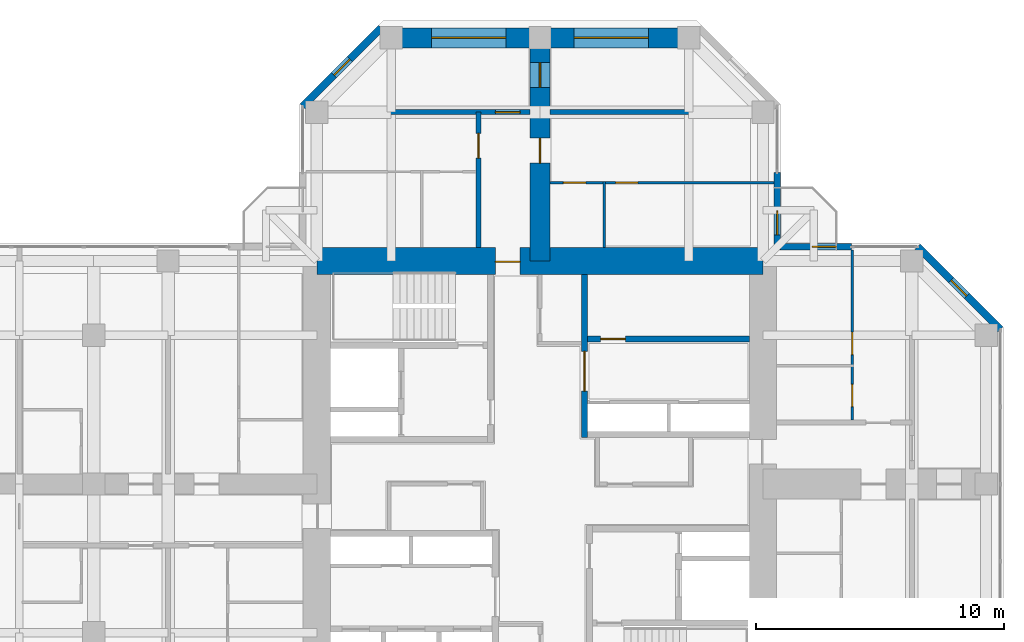
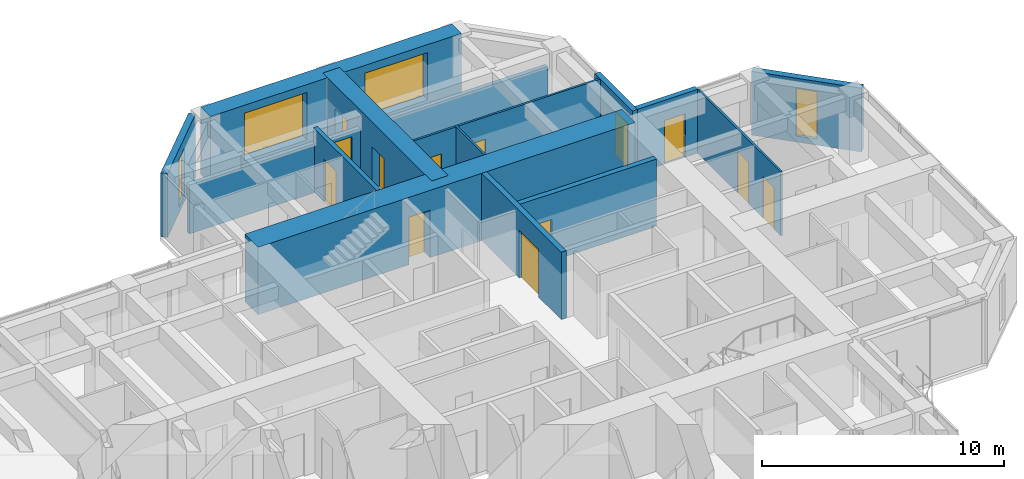
# One storey, part 12 of 14: 15 walls, 13 doors, 4 windows, 17 openings.
"""IFC4 building model written with IfcOpenShell, lengths in metres."""

from ifc_helpers import new_model, si_unit, direction, frame, frame_2d, origin, place, context, subcontext, project, spatial, rectangle, hollow_rectangle, extrude, material, layer, layer_set, constituent, constituent_set, type_object, element, fill, save


model = new_model("IFC4")

# Units and contexts
model_context = context("Model", 3, precision=1e-05, world=origin(), true_north=direction((0.0, 1.0)))
body_context = subcontext(model_context, "Body", "Model", "MODEL_VIEW")
ifc_project = project(units=[si_unit("LENGTHUNIT", "METRE"), si_unit("AREAUNIT", "SQUARE_METRE"), si_unit("VOLUMEUNIT", "CUBIC_METRE"), si_unit("PLANEANGLEUNIT", "RADIAN"), si_unit("MASSUNIT", "GRAM", prefix="KILO")], contexts=[model_context])

# Site, building, storey
site_placement = place(None, origin())
site = spatial("IfcSite", under=ifc_project, at=site_placement, CompositionType="ELEMENT")
building_placement = place(site_placement, origin())
building = spatial("IfcBuilding", under=site, at=building_placement, Name="Torre Cruceta", CompositionType="ELEMENT")
storey_placement = place(building_placement, frame((0.0, 0.0, 179.699951171875)))
storey = spatial("IfcBuildingStorey", under=building, at=storey_placement, Name="L44", CompositionType="ELEMENT", Elevation=179.699951171875)

# Wall
ifc_material_1 = material(Name="Water-resistant plasterboard on steel studs", Category="steel")
ifc_layer_1 = layer(ifc_material_1, 0.10009765625)
ifc_layer_set_1 = layer_set([ifc_layer_1], Name="Water-resistant plasterboard on steel studs")
wall_type_1 = type_object("IfcWallType", Name="BATHROOM WALL 100", PredefinedType="PARTITIONING", material=ifc_layer_set_1)
wall_1_placement = place(storey_placement, frame((2.60009765625, 9.550048828125, 0.0), z_axis=(0.0, 0.0, 1.0), x_axis=(0.0, 1.0, 0.0)))
element("IfcWall", 1, at=wall_1_placement, inside=storey, type_object=wall_type_1, Name="PT4 L44-N-U1RBB", PredefinedType="PARTITIONING", context=body_context, shape_type="SweptSolid", body=[
    extrude(rectangle(XDim=2.64990234375, YDim=0.10009765625, at=frame_2d((1.324951171875, 0.0))), origin(), (0.0, 0.0, 1.0), 3.219970703125),
])

# Wall, openings, doors
wall_2_placement = place(storey_placement, frame((9.445068359375, 12.14990234375, 0.0), z_axis=(0.0, 0.0, 1.0), x_axis=(-1.0, 0.0, 0.0)))
wall_2 = element("IfcWall", 2, at=wall_2_placement, inside=storey, type_object=wall_type_1, Name="PT4 L44-N-U1RBS", PredefinedType="PARTITIONING", context=body_context, shape_type="SweptSolid", body=[
    extrude(rectangle(XDim=9.045166015625, YDim=0.10009765625, at=frame_2d((4.5224609375, 0.0))), origin(), (0.0, 0.0, 1.0), 3.219970703125),
])
opening_1_placement = place(wall_2_placement, frame((5.4951171875, 0.0, 0.0)))
opening_1 = element("IfcOpeningElement", 3, at=opening_1_placement, cuts=wall_2, Name="Opening D7", PredefinedType="OPENING", context=body_context, shape_type="SweptSolid", body=[
    extrude(rectangle(XDim=0.89990234375, YDim=2.10009765625, at=frame_2d((0.449951171875, 1.050048828125))), frame((0.0, 0.06005859375, 0.0), z_axis=(0.0, -1.0, 0.0), x_axis=(1.0, 0.0, 0.0)), (0.0, 0.0, 1.0), 0.1201171875),
])
opening_2_placement = place(wall_2_placement, frame((7.594970703125, 0.0, 0.0)))
opening_2 = element("IfcOpeningElement", 4, at=opening_2_placement, cuts=wall_2, Name="Opening D7", PredefinedType="OPENING", context=body_context, shape_type="SweptSolid", body=[
    extrude(rectangle(XDim=0.89990234375, YDim=2.10009765625, at=frame_2d((0.449951171875, 1.050048828125))), frame((0.0, 0.06005859375, 0.0), z_axis=(0.0, -1.0, 0.0), x_axis=(1.0, 0.0, 0.0)), (0.0, 0.0, 1.0), 0.1201171875),
])
ifc_material_2 = material(Name="Timber door", Category="wood")
door_type_1 = type_object("IfcDoorType", Name="BATHROOM DOOR 900X2100", OperationType="SINGLE_SWING_LEFT", PredefinedType="DOOR", material=ifc_material_2)
door_1_placement = place(opening_1_placement, origin())
door_1 = element("IfcDoor", 5, at=door_1_placement, inside=storey, type_object=door_type_1, Name="D7 L44-N-U1RBS-D1", OperationType="SINGLE_SWING_RIGHT", OverallHeight=2.10009765625, OverallWidth=0.89990234375, PredefinedType="DOOR", context=body_context, shape_type="SweptSolid", body=[
    extrude(rectangle(XDim=0.89990234375, YDim=2.10009765625, at=frame_2d((0.449951171875, 1.050048828125))), frame((0.0, 0.02490234375, 0.0), z_axis=(0.0, -1.0, 0.0), x_axis=(1.0, 0.0, 0.0)), (0.0, 0.0, 1.0), 0.050048828125),
])
fill(opening_1, door_1)
door_2_placement = place(opening_2_placement, origin())
door_2 = element("IfcDoor", 6, at=door_2_placement, inside=storey, type_object=door_type_1, Name="D7 L44-N-U1RBS-D2", OperationType="SINGLE_SWING_RIGHT", OverallHeight=2.10009765625, OverallWidth=0.89990234375, PredefinedType="DOOR", context=body_context, shape_type="SweptSolid", body=[
    extrude(rectangle(XDim=0.89990234375, YDim=2.10009765625, at=frame_2d((0.449951171875, 1.050048828125))), frame((0.0, 0.02490234375, 0.0), z_axis=(0.0, -1.0, 0.0), x_axis=(1.0, 0.0, 0.0)), (0.0, 0.0, 1.0), 0.050048828125),
])
fill(opening_2, door_2)

wall_3_placement = place(storey_placement, frame((12.60009765625, 2.574951171875, 0.0), z_axis=(0.0, 0.0, 1.0), x_axis=(0.0, 1.0, 0.0)))
wall_3 = element("IfcWall", 7, at=wall_3_placement, inside=storey, type_object=wall_type_1, Name="PT4 L44-E-U1LBS", PredefinedType="PARTITIONING", context=body_context, shape_type="SweptSolid", body=[
    extrude(rectangle(XDim=6.8701171875, YDim=0.10009765625, at=frame_2d((3.43505859375, 0.0))), origin(), (0.0, 0.0, 1.0), 3.219970703125),
])
opening_3_placement = place(wall_3_placement, frame((0.550048828125, 0.0, 0.0)))
opening_3 = element("IfcOpeningElement", 8, at=opening_3_placement, cuts=wall_3, Name="Opening D7", PredefinedType="OPENING", context=body_context, shape_type="SweptSolid", body=[
    extrude(rectangle(XDim=0.89990234375, YDim=2.10009765625, at=frame_2d((0.449951171875, 1.050048828125))), frame((0.0, 0.06005859375, 0.0), z_axis=(0.0, -1.0, 0.0), x_axis=(1.0, 0.0, 0.0)), (0.0, 0.0, 1.0), 0.1201171875),
])
opening_4_placement = place(wall_3_placement, frame((2.64990234375, 0.0, 0.0)))
opening_4 = element("IfcOpeningElement", 9, at=opening_4_placement, cuts=wall_3, Name="Opening D7", PredefinedType="OPENING", context=body_context, shape_type="SweptSolid", body=[
    extrude(rectangle(XDim=0.89990234375, YDim=2.10009765625, at=frame_2d((0.449951171875, 1.050048828125))), frame((0.0, 0.06005859375, 0.0), z_axis=(0.0, -1.0, 0.0), x_axis=(1.0, 0.0, 0.0)), (0.0, 0.0, 1.0), 0.1201171875),
])
door_3_placement = place(opening_3_placement, origin())
door_3 = element("IfcDoor", 10, at=door_3_placement, inside=storey, type_object=door_type_1, Name="D7 L44-E-U1LBS-D1", OperationType="SINGLE_SWING_LEFT", OverallHeight=2.10009765625, OverallWidth=0.89990234375, PredefinedType="DOOR", context=body_context, shape_type="SweptSolid", body=[
    extrude(rectangle(XDim=0.89990234375, YDim=2.10009765625, at=frame_2d((0.449951171875, 1.050048828125))), frame((0.0, 0.02490234375, 0.0), z_axis=(0.0, -1.0, 0.0), x_axis=(1.0, 0.0, 0.0)), (0.0, 0.0, 1.0), 0.050048828125),
])
fill(opening_3, door_3)
door_4_placement = place(opening_4_placement, origin())
door_4 = element("IfcDoor", 11, at=door_4_placement, inside=storey, type_object=door_type_1, Name="D7 L44-E-U1LBS-D2", OperationType="SINGLE_SWING_LEFT", OverallHeight=2.10009765625, OverallWidth=0.89990234375, PredefinedType="DOOR", context=body_context, shape_type="SweptSolid", body=[
    extrude(rectangle(XDim=0.89990234375, YDim=2.10009765625, at=frame_2d((0.449951171875, 1.050048828125))), frame((0.0, 0.02490234375, 0.0), z_axis=(0.0, -1.0, 0.0), x_axis=(1.0, 0.0, 0.0)), (0.0, 0.0, 1.0), 0.050048828125),
])
fill(opening_4, door_4)

# Wall, opening, door
ifc_material_3 = material(Name="Concrete G60 (fck 60 MPa)", Category="concrete")
ifc_layer_2 = layer(ifc_material_3, 0.25)
ifc_layer_set_2 = layer_set([ifc_layer_2], Name="Concrete G60 (fck 60 MPa)")
wall_type_2 = type_object("IfcWallType", Name="CORE INNER WALL 250 G60", PredefinedType="SHEAR", material=ifc_layer_set_2)
wall_4_placement = place(storey_placement, frame((1.800048828125, 1.875, 0.0), z_axis=(0.0, 0.0, 1.0), x_axis=(0.0, 1.0, 0.0)))
wall_4 = element("IfcWall", 12, at=wall_4_placement, inside=storey, type_object=wall_type_2, Name="CW4 L44 NE-CU", PredefinedType="SHEAR", context=body_context, shape_type="SweptSolid", body=[
    extrude(rectangle(XDim=6.574951171875, YDim=0.25, at=frame_2d((3.28759765625, 0.0))), origin(), (0.0, 0.0, 1.0), 3.400146484375),
])
opening_5_placement = place(wall_4_placement, frame((1.875, 0.0, 0.0)))
opening_5 = element("IfcOpeningElement", 13, at=opening_5_placement, cuts=wall_4, Name="Opening D15", PredefinedType="OPENING", context=body_context, shape_type="SweptSolid", body=[
    extrude(rectangle(XDim=1.60009765625, YDim=2.39990234375, at=frame_2d((0.800048828125, 1.199951171875))), frame((0.0, 0.135009765625, 0.0), z_axis=(0.0, -1.0, 0.0), x_axis=(1.0, 0.0, 0.0)), (0.0, 0.0, 1.0), 0.27001953125),
])
ifc_material_4 = material(Name="Steel DX51D", Category="steel")
ifc_constituent_1 = constituent(ifc_material_4, Name="Leaf and frame")
ifc_material_5 = material(Name="Polyester powder coating", Category="paint")
ifc_constituent_2 = constituent(ifc_material_5, Name="Finish")
ifc_constituent_set_1 = constituent_set(constituents=[ifc_constituent_1, ifc_constituent_2], Name="Steel fire door")
door_type_2 = type_object("IfcDoorType", Name="CORE ROOM DOUBLE DOOR 1600X2400", OperationType="DOUBLE_DOOR_SINGLE_SWING", PredefinedType="DOOR", material=ifc_constituent_set_1)
door_5_placement = place(opening_5_placement, frame((1.60009765625, 0.0, 0.0), z_axis=(0.0, 0.0, 1.0), x_axis=(-1.0, 0.0, 0.0)))
door_5 = element("IfcDoor", 14, at=door_5_placement, inside=storey, type_object=door_type_2, Name="D15 L44 NE-LOBBY", OperationType="DOUBLE_DOOR_SINGLE_SWING", OverallHeight=2.39990234375, OverallWidth=1.60009765625, PredefinedType="DOOR", context=body_context, shape_type="SweptSolid", body=[
    extrude(rectangle(XDim=1.60009765625, YDim=2.39990234375, at=frame_2d((0.800048828125, 1.199951171875))), frame((0.0, 0.025146484375, 0.0), z_axis=(0.0, -1.0, 0.0), x_axis=(1.0, 0.0, 0.0)), (0.0, 0.0, 1.0), 0.050048828125),
])
fill(opening_5, door_5)

wall_5_placement = place(storey_placement, frame((1.925048828125, 5.85009765625, 0.0), z_axis=(0.0, 0.0, 1.0), x_axis=(1.0, 0.0, 0.0)))
wall_5 = element("IfcWall", 15, at=wall_5_placement, inside=storey, type_object=wall_type_2, Name="CW4 L44 NE-LV", PredefinedType="SHEAR", context=body_context, shape_type="SweptSolid", body=[
    extrude(rectangle(XDim=6.52490234375, YDim=0.25, at=frame_2d((3.262451171875, 0.0))), origin(), (0.0, 0.0, 1.0), 3.400146484375),
])
opening_6_placement = place(wall_5_placement, frame((0.520751953125, 0.0, 0.0)))
opening_6 = element("IfcOpeningElement", 16, at=opening_6_placement, cuts=wall_5, Name="Opening D3", PredefinedType="OPENING", context=body_context, shape_type="SweptSolid", body=[
    extrude(rectangle(XDim=1.0, YDim=2.10009765625, at=frame_2d((0.5, 1.050048828125))), frame((0.0, 0.135009765625, 0.0), z_axis=(0.0, -1.0, 0.0), x_axis=(1.0, 0.0, 0.0)), (0.0, 0.0, 1.0), 0.27001953125),
])
ifc_material_6 = material(Name="Steel DX51D", Category="steel")
ifc_constituent_3 = constituent(ifc_material_6, Name="Leaf and frame")
ifc_material_7 = material(Name="Polyester powder coating", Category="paint")
ifc_constituent_4 = constituent(ifc_material_7, Name="Finish")
ifc_constituent_set_2 = constituent_set(constituents=[ifc_constituent_3, ifc_constituent_4], Name="Steel fire door")
door_type_3 = type_object("IfcDoorType", Name="FIRE DOOR 1000X2100", OperationType="SINGLE_SWING_LEFT", PredefinedType="DOOR", material=ifc_constituent_set_2)
door_6_placement = place(opening_6_placement, origin())
door_6 = element("IfcDoor", 17, at=door_6_placement, inside=storey, type_object=door_type_3, Name="D3 L44 NE-HR1", OperationType="SINGLE_SWING_LEFT", OverallHeight=2.10009765625, OverallWidth=1.0, PredefinedType="DOOR", context=body_context, shape_type="SweptSolid", body=[
    extrude(rectangle(XDim=1.0, YDim=2.10009765625, at=frame_2d((0.5, 1.050048828125))), frame((0.0, 0.02490234375, 0.0), z_axis=(0.0, -1.0, 0.0), x_axis=(1.0, 0.0, 0.0)), (0.0, 0.0, 1.0), 0.050048828125),
])
fill(opening_6, door_6)

ifc_material_8 = material(Name="Concrete G60 (fck 60 MPa)", Category="concrete")
ifc_layer_3 = layer(ifc_material_8, 1.10009765625)
ifc_layer_set_3 = layer_set([ifc_layer_3], Name="Concrete G60 (fck 60 MPa)")
wall_type_3 = type_object("IfcWallType", Name="CORE WALL 1100 G60", PredefinedType="SHEAR", material=ifc_layer_set_3)
wall_6_placement = place(storey_placement, frame((9.0, 9.0, 0.0), z_axis=(0.0, 0.0, 1.0), x_axis=(-1.0, 0.0, 0.0)))
wall_6 = element("IfcWall", 18, at=wall_6_placement, inside=storey, type_object=wall_type_3, Name="CW2 L44 CW-N", PredefinedType="SHEAR", context=body_context, shape_type="SweptSolid", body=[
    extrude(rectangle(XDim=18.0, YDim=1.10009765625, at=frame_2d((9.0, 0.0))), origin(), (0.0, 0.0, 1.0), 3.400146484375),
])
opening_7_placement = place(wall_6_placement, frame((9.800048828125, 0.0, 0.0)))
opening_7 = element("IfcOpeningElement", 19, at=opening_7_placement, cuts=wall_6, Name="Opening D4", PredefinedType="OPENING", context=body_context, shape_type="SweptSolid", body=[
    extrude(rectangle(XDim=1.0, YDim=2.39990234375, at=frame_2d((0.5, 1.199951171875))), frame((0.0, 0.56005859375, 0.0), z_axis=(0.0, -1.0, 0.0), x_axis=(1.0, 0.0, 0.0)), (0.0, 0.0, 1.0), 1.1201171875),
])
ifc_material_9 = material(Name="Steel DX51D", Category="steel")
ifc_constituent_5 = constituent(ifc_material_9, Name="Leaf and frame")
ifc_material_10 = material(Name="Polyester powder coating", Category="paint")
ifc_constituent_6 = constituent(ifc_material_10, Name="Finish")
ifc_constituent_set_3 = constituent_set(constituents=[ifc_constituent_5, ifc_constituent_6], Name="Steel fire door")
door_type_4 = type_object("IfcDoorType", Name="CORE ARM DOOR 1000X2400", OperationType="SINGLE_SWING_RIGHT", PredefinedType="DOOR", material=ifc_constituent_set_3)
door_7_placement = place(opening_7_placement, origin())
door_7 = element("IfcDoor", 20, at=door_7_placement, inside=storey, type_object=door_type_4, Name="D4 L44 CW-N", OperationType="SINGLE_SWING_RIGHT", OverallHeight=2.39990234375, OverallWidth=1.0, PredefinedType="DOOR", context=body_context, shape_type="SweptSolid", body=[
    extrude(rectangle(XDim=1.0, YDim=2.39990234375, at=frame_2d((0.5, 1.199951171875))), frame((0.0, 0.05517578125, 0.0), z_axis=(0.0, -1.0, 0.0), x_axis=(1.0, 0.0, 0.0)), (0.0, 0.0, 1.0), 0.050048828125),
])
fill(opening_7, door_7)

ifc_material_11 = material(Name="Concrete G25 (fck 25 MPa)", Category="concrete")
ifc_layer_4 = layer(ifc_material_11, 0.199951171875)
ifc_layer_set_4 = layer_set([ifc_layer_4], Name="Concrete G25 (fck 25 MPa)")
wall_type_4 = type_object("IfcWallType", Name="CORRIDOR WALL 200", PredefinedType="SOLIDWALL", material=ifc_layer_set_4)
wall_7_placement = place(storey_placement, frame((-2.47509765625, 9.550048828125, 0.0), z_axis=(0.0, 0.0, 1.0), x_axis=(0.0, 1.0, 0.0)))
wall_7 = element("IfcWall", 21, at=wall_7_placement, inside=storey, type_object=wall_type_4, Name="PT3 L44-N-CL", PredefinedType="SOLIDWALL", context=body_context, shape_type="SweptSolid", body=[
    extrude(rectangle(XDim=5.449951171875, YDim=0.199951171875, at=frame_2d((2.72509765625, 0.0))), origin(), (0.0, 0.0, 1.0), 3.219970703125),
])
opening_8_placement = place(wall_7_placement, frame((3.60009765625, 0.0, 0.0)))
opening_8 = element("IfcOpeningElement", 22, at=opening_8_placement, cuts=wall_7, Name="Opening D6", PredefinedType="OPENING", context=body_context, shape_type="SweptSolid", body=[
    extrude(rectangle(XDim=1.0, YDim=2.14990234375, at=frame_2d((0.5, 1.074951171875))), frame((0.0, 0.10986328125, 0.0), z_axis=(0.0, -1.0, 0.0), x_axis=(1.0, 0.0, 0.0)), (0.0, 0.0, 1.0), 0.219970703125),
])
ifc_material_12 = material(Name="Timber fire door", Category="wood")
door_type_5 = type_object("IfcDoorType", Name="UNIT ENTRANCE DOOR 1000X2150", OperationType="SINGLE_SWING_LEFT", PredefinedType="DOOR", material=ifc_material_12)
door_8_placement = place(opening_8_placement, origin())
door_8 = element("IfcDoor", 23, at=door_8_placement, inside=storey, type_object=door_type_5, Name="D6 L44-N-CL-D1", OperationType="SINGLE_SWING_LEFT", OverallHeight=2.14990234375, OverallWidth=1.0, PredefinedType="DOOR", context=body_context, shape_type="SweptSolid", body=[
    extrude(rectangle(XDim=1.0, YDim=2.14990234375, at=frame_2d((0.5, 1.074951171875))), frame((0.0, 0.02490234375, 0.0), z_axis=(0.0, -1.0, 0.0), x_axis=(1.0, 0.0, 0.0)), (0.0, 0.0, 1.0), 0.050048828125),
])
fill(opening_8, door_8)

# Wall, opening, window
ifc_material_13 = material(Name="Concrete G30 (fck 30 MPa)", Category="concrete")
ifc_layer_5 = layer(ifc_material_13, 0.300048828125)
ifc_layer_set_5 = layer_set([ifc_layer_5], Name="Concrete G30 (fck 30 MPa)")
wall_type_5 = type_object("IfcWallType", Name="EXPOSED CONCRETE FACADE WALL 300", PredefinedType="SOLIDWALL", material=ifc_layer_set_5)
wall_8_placement = place(storey_placement, frame((18.570068359375, 6.236083984375, 0.0), z_axis=(0.0, 0.0, 1.0), x_axis=(-0.707106781187, 0.707106781187, 0.0)))
wall_8 = element("IfcWall", 24, at=wall_8_placement, inside=storey, type_object=wall_type_5, Name="EW1 facade wall L44 E chamfer 03", PredefinedType="SOLIDWALL", context=body_context, shape_type="SweptSolid", body=[
    extrude(rectangle(XDim=4.715087890625, YDim=0.300048828125, at=frame_2d((2.357421875, 0.0))), origin(), (0.0, 0.0, 1.0), 3.219970703125),
])
opening_9_placement = place(wall_8_placement, frame((1.907470703125, 0.0, 0.300048828125)))
opening_9 = element("IfcOpeningElement", 25, at=opening_9_placement, cuts=wall_8, Name="Opening WN5", PredefinedType="OPENING", context=body_context, shape_type="SweptSolid", body=[
    extrude(rectangle(XDim=0.89990234375, YDim=2.39990234375, at=frame_2d((0.449951171875, 1.199951171875))), frame((0.0, 0.159912109375, 0.0), z_axis=(0.0, -1.0, 0.0), x_axis=(1.0, 0.0, 0.0)), (0.0, 0.0, 1.0), 0.320068359375),
])
ifc_material_14 = material(Name="Aluminium window frame", Category="aluminium")
ifc_constituent_7 = constituent(ifc_material_14, Name="Frame")
ifc_material_15 = material(Name="Laminated insulating glass unit, low-iron clear", Category="glass")
ifc_constituent_8 = constituent(ifc_material_15, Name="Glazing")
ifc_constituent_set_4 = constituent_set(constituents=[ifc_constituent_7, ifc_constituent_8], Name="Aluminium window")
window_type_1 = type_object("IfcWindowType", Name="CHAMFER SLOT WINDOW 900X2400", PartitioningType="SINGLE_PANEL", PredefinedType="WINDOW", material=ifc_constituent_set_4)
window_1_placement = place(opening_9_placement, origin())
window_1 = element("IfcWindow", 26, at=window_1_placement, inside=storey, type_object=window_type_1, Name="WN5 L44 E 1", OverallHeight=2.39990234375, OverallWidth=0.89990234375, PartitioningType="SINGLE_PANEL", PredefinedType="WINDOW", context=body_context, shape_type="SweptSolid", body=[
    extrude(hollow_rectangle(XDim=0.89990234375, YDim=2.39990234375, WallThickness=0.06005859375, at=frame_2d((0.449951171875, 1.199951171875))), frame((0.0, 0.030029296875, 0.0), z_axis=(0.0, -1.0, 0.0), x_axis=(1.0, 0.0, 0.0)), (0.0, 0.0, 1.0), 0.06005859375),
    extrude(rectangle(XDim=0.77880859375, YDim=2.27880859375, at=frame_2d((0.449951171875, 1.199951171875))), frame((0.0, 0.030029296875, 0.0), z_axis=(0.0, -1.0, 0.0), x_axis=(1.0, 0.0, 0.0)), (0.0, 0.0, 1.0), 0.06005859375),
])
fill(opening_9, window_1)

wall_9_placement = place(storey_placement, frame((-6.406005859375, 18.39990234375, 0.0), z_axis=(0.0, 0.0, 1.0), x_axis=(-0.707134062067, -0.707079499254, 0.0)))
wall_9 = element("IfcWall", 27, at=wall_9_placement, inside=storey, type_object=wall_type_5, Name="EW1 facade wall L44 N chamfer 08", PredefinedType="SOLIDWALL", context=body_context, shape_type="SweptSolid", body=[
    extrude(rectangle(XDim=4.474609375, YDim=0.300048828125, at=frame_2d((2.2373046875, 0.0))), origin(), (0.0, 0.0, 1.0), 3.219970703125),
])
opening_10_placement = place(wall_9_placement, frame((1.787109375, 0.0, 0.300048828125)))
opening_10 = element("IfcOpeningElement", 28, at=opening_10_placement, cuts=wall_9, Name="Opening WN5", PredefinedType="OPENING", context=body_context, shape_type="SweptSolid", body=[
    extrude(rectangle(XDim=0.89990234375, YDim=2.39990234375, at=frame_2d((0.449951171875, 1.199951171875))), frame((0.0, 0.159912109375, 0.0), z_axis=(0.0, -1.0, 0.0), x_axis=(1.0, 0.0, 0.0)), (0.0, 0.0, 1.0), 0.320068359375),
])
window_2_placement = place(opening_10_placement, origin())
window_2 = element("IfcWindow", 29, at=window_2_placement, inside=storey, type_object=window_type_1, Name="WN5 L44 N 1", OverallHeight=2.39990234375, OverallWidth=0.89990234375, PartitioningType="SINGLE_PANEL", PredefinedType="WINDOW", context=body_context, shape_type="SweptSolid", body=[
    extrude(hollow_rectangle(XDim=0.89990234375, YDim=2.39990234375, WallThickness=0.06005859375, at=frame_2d((0.449951171875, 1.199951171875))), frame((0.0, 0.030029296875, 0.0), z_axis=(0.0, -1.0, 0.0), x_axis=(1.0, 0.0, 0.0)), (0.0, 0.0, 1.0), 0.06005859375),
    extrude(rectangle(XDim=0.77880859375, YDim=2.27880859375, at=frame_2d((0.449951171875, 1.199951171875))), frame((0.0, 0.030029296875, 0.0), z_axis=(0.0, -1.0, 0.0), x_axis=(1.0, 0.0, 0.0)), (0.0, 0.0, 1.0), 0.06005859375),
])
fill(opening_10, window_2)

# Wall, openings, windows
ifc_material_16 = material(Name="Concrete G60 (fck 60 MPa)", Category="concrete")
ifc_layer_6 = layer(ifc_material_16, 0.800048828125)
ifc_layer_set_6 = layer_set([ifc_layer_6], Name="Concrete G60 (fck 60 MPa)")
wall_type_6 = type_object("IfcWallType", Name="NOSE WALL 800 G60", PredefinedType="SHEAR", material=ifc_layer_set_6)
wall_10_placement = place(storey_placement, frame((6.0, 18.0, 0.0), z_axis=(0.0, 0.0, 1.0), x_axis=(-1.0, 0.0, 0.0)))
wall_10 = element("IfcWall", 30, at=wall_10_placement, inside=storey, type_object=wall_type_6, Name="NW2 nose wall L44 N", PredefinedType="SHEAR", context=body_context, shape_type="SweptSolid", body=[
    extrude(rectangle(XDim=12.0, YDim=0.800048828125, at=frame_2d((6.0, 0.0))), origin(), (0.0, 0.0, 1.0), 3.400146484375),
])
opening_11_placement = place(wall_10_placement, frame((1.625, 0.0, 0.60009765625)))
opening_11 = element("IfcOpeningElement", 31, at=opening_11_placement, cuts=wall_10, Name="Opening WN6", PredefinedType="OPENING", context=body_context, shape_type="SweptSolid", body=[
    extrude(rectangle(XDim=3.0, YDim=2.39990234375, at=frame_2d((1.5, 1.199951171875))), frame((0.0, 0.409912109375, 0.0), z_axis=(0.0, -1.0, 0.0), x_axis=(1.0, 0.0, 0.0)), (0.0, 0.0, 1.0), 0.820068359375),
])
opening_12_placement = place(wall_10_placement, frame((7.375, 0.0, 0.60009765625)))
opening_12 = element("IfcOpeningElement", 32, at=opening_12_placement, cuts=wall_10, Name="Opening WN6", PredefinedType="OPENING", context=body_context, shape_type="SweptSolid", body=[
    extrude(rectangle(XDim=3.0, YDim=2.39990234375, at=frame_2d((1.5, 1.199951171875))), frame((0.0, 0.409912109375, 0.0), z_axis=(0.0, -1.0, 0.0), x_axis=(1.0, 0.0, 0.0)), (0.0, 0.0, 1.0), 0.820068359375),
])
ifc_material_17 = material(Name="Aluminium window frame", Category="aluminium")
ifc_constituent_9 = constituent(ifc_material_17, Name="Frame")
ifc_material_18 = material(Name="Laminated insulating glass unit, low-iron clear", Category="glass")
ifc_constituent_10 = constituent(ifc_material_18, Name="Glazing")
ifc_constituent_set_5 = constituent_set(constituents=[ifc_constituent_9, ifc_constituent_10], Name="Aluminium window")
window_type_2 = type_object("IfcWindowType", Name="NOSE WALL WINDOW 3000X2400", PartitioningType="SINGLE_PANEL", PredefinedType="WINDOW", material=ifc_constituent_set_5)
window_3_placement = place(opening_11_placement, origin())
window_3 = element("IfcWindow", 33, at=window_3_placement, inside=storey, type_object=window_type_2, Name="WN6 L44 N 1", OverallHeight=2.39990234375, OverallWidth=3.0, PartitioningType="SINGLE_PANEL", PredefinedType="WINDOW", context=body_context, shape_type="SweptSolid", body=[
    extrude(hollow_rectangle(XDim=3.0, YDim=2.39990234375, WallThickness=0.06005859375, at=frame_2d((1.5, 1.199951171875))), frame((0.0, 0.030029296875, 0.0), z_axis=(0.0, -1.0, 0.0), x_axis=(1.0, 0.0, 0.0)), (0.0, 0.0, 1.0), 0.06005859375),
    extrude(rectangle(XDim=2.87890625, YDim=2.27880859375, at=frame_2d((1.5, 1.199951171875))), frame((0.0, 0.030029296875, 0.0), z_axis=(0.0, -1.0, 0.0), x_axis=(1.0, 0.0, 0.0)), (0.0, 0.0, 1.0), 0.06005859375),
])
fill(opening_11, window_3)
window_4_placement = place(opening_12_placement, origin())
window_4 = element("IfcWindow", 34, at=window_4_placement, inside=storey, type_object=window_type_2, Name="WN6 L44 N 2", OverallHeight=2.39990234375, OverallWidth=3.0, PartitioningType="SINGLE_PANEL", PredefinedType="WINDOW", context=body_context, shape_type="SweptSolid", body=[
    extrude(hollow_rectangle(XDim=3.0, YDim=2.39990234375, WallThickness=0.06005859375, at=frame_2d((1.5, 1.199951171875))), frame((0.0, 0.030029296875, 0.0), z_axis=(0.0, -1.0, 0.0), x_axis=(1.0, 0.0, 0.0)), (0.0, 0.0, 1.0), 0.06005859375),
    extrude(rectangle(XDim=2.87890625, YDim=2.27880859375, at=frame_2d((1.5, 1.199951171875))), frame((0.0, 0.030029296875, 0.0), z_axis=(0.0, -1.0, 0.0), x_axis=(1.0, 0.0, 0.0)), (0.0, 0.0, 1.0), 0.06005859375),
])
fill(opening_12, window_4)

# Wall, openings, doors
ifc_material_19 = material(Name="Concrete G60 (fck 60 MPa)", Category="concrete")
ifc_layer_7 = layer(ifc_material_19, 0.800048828125)
ifc_layer_set_7 = layer_set([ifc_layer_7], Name="Concrete G60 (fck 60 MPa)")
wall_type_7 = type_object("IfcWallType", Name="SPINE WALL 800 G60", PredefinedType="SHEAR", material=ifc_layer_set_7)
wall_11_placement = place(storey_placement, frame((0.0, 9.0, 0.0), z_axis=(0.0, 0.0, 1.0), x_axis=(0.0, 1.0, 0.0)))
wall_11 = element("IfcWall", 35, at=wall_11_placement, inside=storey, type_object=wall_type_7, Name="SW4 spine wall L44 N", PredefinedType="SHEAR", context=body_context, shape_type="SweptSolid", body=[
    extrude(rectangle(XDim=9.0, YDim=0.800048828125, at=frame_2d((4.5, 0.0))), origin(), (0.0, 0.0, 1.0), 3.400146484375),
])
opening_13_placement = place(wall_11_placement, frame((3.949951171875, 0.0, 0.0)))
opening_13 = element("IfcOpeningElement", 36, at=opening_13_placement, cuts=wall_11, Name="Opening D6", PredefinedType="OPENING", context=body_context, shape_type="SweptSolid", body=[
    extrude(rectangle(XDim=1.0, YDim=2.14990234375, at=frame_2d((0.5, 1.074951171875))), frame((0.0, 0.409912109375, 0.0), z_axis=(0.0, -1.0, 0.0), x_axis=(1.0, 0.0, 0.0)), (0.0, 0.0, 1.0), 0.820068359375),
])
opening_14_placement = place(wall_11_placement, frame((7.0, 0.0, 0.0)))
opening_14 = element("IfcOpeningElement", 37, at=opening_14_placement, cuts=wall_11, Name="Opening D14", PredefinedType="OPENING", context=body_context, shape_type="SweptSolid", body=[
    extrude(rectangle(XDim=1.0, YDim=2.199951171875, at=frame_2d((0.5, 1.10009765625))), frame((0.0, 0.409912109375, 0.0), z_axis=(0.0, -1.0, 0.0), x_axis=(1.0, 0.0, 0.0)), (0.0, 0.0, 1.0), 0.820068359375),
])
ifc_material_20 = material(Name="Steel DX51D", Category="steel")
ifc_constituent_11 = constituent(ifc_material_20, Name="Leaf and frame")
ifc_material_21 = material(Name="Polyester powder coating", Category="paint")
ifc_constituent_12 = constituent(ifc_material_21, Name="Finish")
ifc_material_22 = material(Name="Fire-resisting glass", Category="glass")
ifc_constituent_13 = constituent(ifc_material_22, Name="Vision panel")
ifc_constituent_set_6 = constituent_set(constituents=[ifc_constituent_11, ifc_constituent_12, ifc_constituent_13], Name="Steel fire door with vision panel")
door_type_6 = type_object("IfcDoorType", Name="FIRE DOOR VISION PANEL 1000X2200", OperationType="SINGLE_SWING_RIGHT", PredefinedType="DOOR", material=ifc_constituent_set_6)
door_9_placement = place(opening_14_placement, origin())
door_9 = element("IfcDoor", 38, at=door_9_placement, inside=storey, type_object=door_type_6, Name="D14 L44-N-SP2", OperationType="SINGLE_SWING_RIGHT", OverallHeight=2.199951171875, OverallWidth=1.0, PredefinedType="DOOR", context=body_context, shape_type="SweptSolid", body=[
    extrude(rectangle(XDim=1.0, YDim=2.199951171875, at=frame_2d((0.5, 1.10009765625))), frame((0.0, 0.02490234375, 0.0), z_axis=(0.0, -1.0, 0.0), x_axis=(1.0, 0.0, 0.0)), (0.0, 0.0, 1.0), 0.050048828125),
])
fill(opening_14, door_9)
door_10_placement = place(opening_13_placement, frame((1.0, 0.0, 0.0), z_axis=(0.0, 0.0, 1.0), x_axis=(-1.0, 0.0, 0.0)))
door_10 = element("IfcDoor", 39, at=door_10_placement, inside=storey, type_object=door_type_5, Name="D6 L44-N-SP1", OperationType="SINGLE_SWING_RIGHT", OverallHeight=2.14990234375, OverallWidth=1.0, PredefinedType="DOOR", context=body_context, shape_type="SweptSolid", body=[
    extrude(rectangle(XDim=1.0, YDim=2.14990234375, at=frame_2d((0.5, 1.074951171875))), frame((0.0, 0.025146484375, 0.0), z_axis=(0.0, -1.0, 0.0), x_axis=(1.0, 0.0, 0.0)), (0.0, 0.0, 1.0), 0.050048828125),
])
fill(opening_13, door_10)

# Wall
ifc_material_23 = material(Name="Concrete G25 (fck 25 MPa)", Category="concrete")
ifc_layer_8 = layer(ifc_material_23, 0.199951171875)
ifc_layer_set_8 = layer_set([ifc_layer_8], Name="Concrete G25 (fck 25 MPa)")
wall_type_8 = type_object("IfcWallType", Name="UNIT SEPARATING WALL 200", PredefinedType="SOLIDWALL", material=ifc_layer_set_8)
wall_12_placement = place(storey_placement, frame((8.550048828125, 15.0, 0.0), z_axis=(0.0, 0.0, 1.0), x_axis=(-1.0, 0.0, 0.0)))
element("IfcWall", 40, at=wall_12_placement, inside=storey, type_object=wall_type_8, Name="PT2 L44-N-ENDa", PredefinedType="SOLIDWALL", context=body_context, shape_type="SweptSolid", body=[
    extrude(rectangle(XDim=8.150146484375, YDim=0.199951171875, at=frame_2d((4.0751953125, 0.0))), origin(), (0.0, 0.0, 1.0), 2.469970703125),
])

# Wall, opening, door
wall_13_placement = place(storey_placement, frame((-0.39990234375, 15.0, 0.0), z_axis=(0.0, 0.0, 1.0), x_axis=(-1.0, 0.0, 0.0)))
wall_13 = element("IfcWall", 41, at=wall_13_placement, inside=storey, type_object=wall_type_8, Name="PT2 L44-N-ENDb", PredefinedType="SOLIDWALL", context=body_context, shape_type="SweptSolid", body=[
    extrude(rectangle(XDim=8.150146484375, YDim=0.199951171875, at=frame_2d((4.0751953125, 0.0))), origin(), (0.0, 0.0, 1.0), 2.469970703125),
])
opening_15_placement = place(wall_13_placement, frame((0.39990234375, 0.0, 0.0)))
opening_15 = element("IfcOpeningElement", 42, at=opening_15_placement, cuts=wall_13, Name="Opening D14", PredefinedType="OPENING", context=body_context, shape_type="SweptSolid", body=[
    extrude(rectangle(XDim=1.0, YDim=2.199951171875, at=frame_2d((0.5, 1.10009765625))), frame((0.0, 0.10986328125, 0.0), z_axis=(0.0, -1.0, 0.0), x_axis=(1.0, 0.0, 0.0)), (0.0, 0.0, 1.0), 0.219970703125),
])
door_11_placement = place(opening_15_placement, frame((1.0, 0.0, 0.0), z_axis=(0.0, 0.0, 1.0), x_axis=(-1.0, 0.0, 0.0)))
door_11 = element("IfcDoor", 43, at=door_11_placement, inside=storey, type_object=door_type_6, Name="D14 L44-N-ENDb-D1", OperationType="SINGLE_SWING_RIGHT", OverallHeight=2.199951171875, OverallWidth=1.0, PredefinedType="DOOR", context=body_context, shape_type="SweptSolid", body=[
    extrude(rectangle(XDim=1.0, YDim=2.199951171875, at=frame_2d((0.5, 1.10009765625))), frame((0.0, 0.025146484375, 0.0), z_axis=(0.0, -1.0, 0.0), x_axis=(1.0, 0.0, 0.0)), (0.0, 0.0, 1.0), 0.050048828125),
])
fill(opening_15, door_11)

ifc_material_24 = material(Name="Concrete G30 (fck 30 MPa)", Category="concrete")
ifc_layer_9 = layer(ifc_material_24, 0.25)
ifc_layer_set_9 = layer_set([ifc_layer_9], Name="Concrete G30 (fck 30 MPa)")
wall_type_9 = type_object("IfcWallType", Name="WINTER GARDEN WALL 250", PredefinedType="SOLIDWALL", material=ifc_layer_set_9)
wall_14_placement = place(storey_placement, frame((12.570068359375, 9.570068359375, 0.0), z_axis=(0.0, 0.0, 1.0), x_axis=(-1.0, 0.0, 0.0)))
wall_14 = element("IfcWall", 44, at=wall_14_placement, inside=storey, type_object=wall_type_9, Name="EW2 winter garden wall L44 04", PredefinedType="SOLIDWALL", context=body_context, shape_type="SweptSolid", body=[
    extrude(rectangle(XDim=2.875, YDim=0.25, at=frame_2d((1.4375, 0.0))), origin(), (0.0, 0.0, 1.0), 3.219970703125),
])
opening_16_placement = place(wall_14_placement, frame((0.60009765625, 0.0, 0.0)))
opening_16 = element("IfcOpeningElement", 45, at=opening_16_placement, cuts=wall_14, Name="Opening D10", PredefinedType="OPENING", context=body_context, shape_type="SweptSolid", body=[
    extrude(rectangle(XDim=1.0, YDim=2.199951171875, at=frame_2d((0.5, 1.10009765625))), frame((0.0, 0.135009765625, 0.0), z_axis=(0.0, -1.0, 0.0), x_axis=(1.0, 0.0, 0.0)), (0.0, 0.0, 1.0), 0.27001953125),
])
ifc_material_25 = material(Name="Aluminium door frame", Category="aluminium")
ifc_constituent_14 = constituent(ifc_material_25, Name="Frame")
ifc_material_26 = material(Name="Laminated safety glass", Category="glass")
ifc_constituent_15 = constituent(ifc_material_26, Name="Glazing")
ifc_constituent_set_7 = constituent_set(constituents=[ifc_constituent_14, ifc_constituent_15], Name="Aluminium glazed door")
door_type_7 = type_object("IfcDoorType", Name="BALCONY DOOR 1000X2200", OperationType="SINGLE_SWING_RIGHT", PredefinedType="DOOR", material=ifc_constituent_set_7)
door_12_placement = place(opening_16_placement, origin())
door_12 = element("IfcDoor", 46, at=door_12_placement, inside=storey, type_object=door_type_7, Name="D10 balcony door L44 04", OperationType="SINGLE_SWING_LEFT", OverallHeight=2.199951171875, OverallWidth=1.0, PredefinedType="DOOR", context=body_context, shape_type="SweptSolid", body=[
    extrude(hollow_rectangle(XDim=1.0, YDim=2.199951171875, WallThickness=0.06005859375, at=frame_2d((0.5, 1.10009765625))), frame((0.0, 0.02490234375, 0.0), z_axis=(0.0, -1.0, 0.0), x_axis=(1.0, 0.0, 0.0)), (0.0, 0.0, 1.0), 0.050048828125),
    extrude(rectangle(XDim=0.87890625, YDim=2.078857421875, at=frame_2d((0.5, 1.10009765625))), frame((0.0, 0.02490234375, 0.0), z_axis=(0.0, -1.0, 0.0), x_axis=(1.0, 0.0, 0.0)), (0.0, 0.0, 1.0), 0.050048828125),
])
fill(opening_16, door_12)

wall_15_placement = place(storey_placement, frame((9.570068359375, 9.445068359375, 0.0), z_axis=(0.0, 0.0, 1.0), x_axis=(0.0, 1.0, 0.0)))
wall_15 = element("IfcWall", 47, at=wall_15_placement, inside=storey, type_object=wall_type_9, Name="EW2 winter garden wall L44 05", PredefinedType="SOLIDWALL", context=body_context, shape_type="SweptSolid", body=[
    extrude(rectangle(XDim=3.125, YDim=0.25, at=frame_2d((1.5625, 0.0))), origin(), (0.0, 0.0, 1.0), 3.219970703125),
])
opening_17_placement = place(wall_15_placement, frame((0.60009765625, 0.0, 0.0)))
opening_17 = element("IfcOpeningElement", 48, at=opening_17_placement, cuts=wall_15, Name="Opening D10", PredefinedType="OPENING", context=body_context, shape_type="SweptSolid", body=[
    extrude(rectangle(XDim=1.0, YDim=2.199951171875, at=frame_2d((0.5, 1.10009765625))), frame((0.0, 0.135009765625, 0.0), z_axis=(0.0, -1.0, 0.0), x_axis=(1.0, 0.0, 0.0)), (0.0, 0.0, 1.0), 0.27001953125),
])
door_13_placement = place(opening_17_placement, origin())
door_13 = element("IfcDoor", 49, at=door_13_placement, inside=storey, type_object=door_type_7, Name="D10 balcony door L44 05", OperationType="SINGLE_SWING_LEFT", OverallHeight=2.199951171875, OverallWidth=1.0, PredefinedType="DOOR", context=body_context, shape_type="SweptSolid", body=[
    extrude(hollow_rectangle(XDim=1.0, YDim=2.199951171875, WallThickness=0.06005859375, at=frame_2d((0.5, 1.10009765625))), frame((0.0, 0.02490234375, 0.0), z_axis=(0.0, -1.0, 0.0), x_axis=(1.0, 0.0, 0.0)), (0.0, 0.0, 1.0), 0.050048828125),
    extrude(rectangle(XDim=0.87890625, YDim=2.078857421875, at=frame_2d((0.5, 1.10009765625))), frame((0.0, 0.02490234375, 0.0), z_axis=(0.0, -1.0, 0.0), x_axis=(1.0, 0.0, 0.0)), (0.0, 0.0, 1.0), 0.050048828125),
])
fill(opening_17, door_13)

save(model, "model.ifc")
